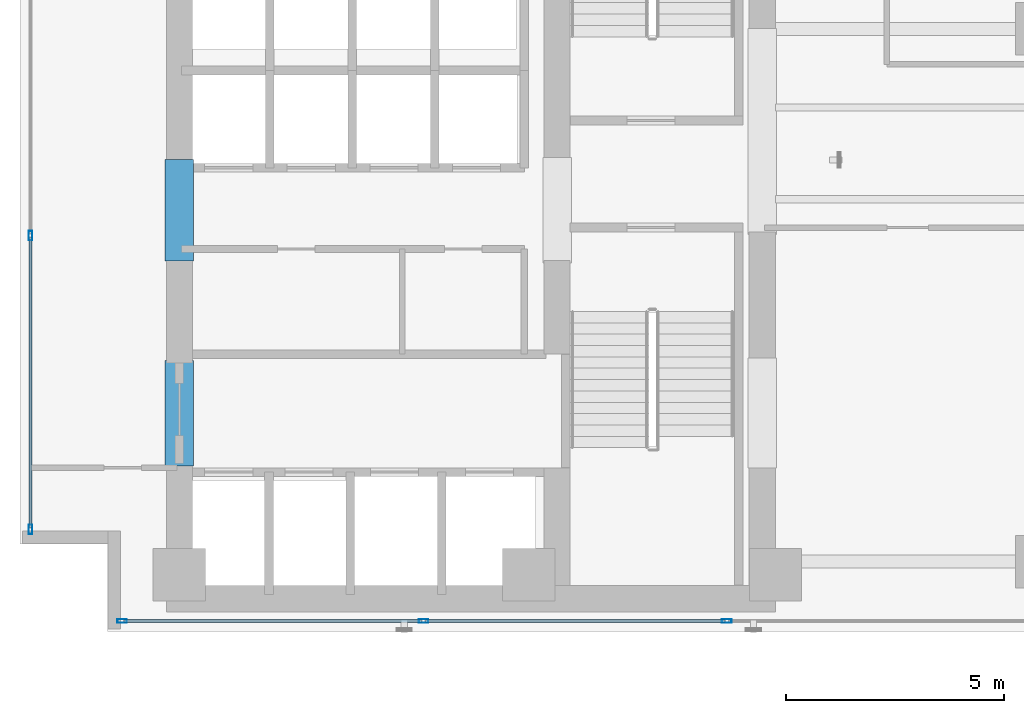
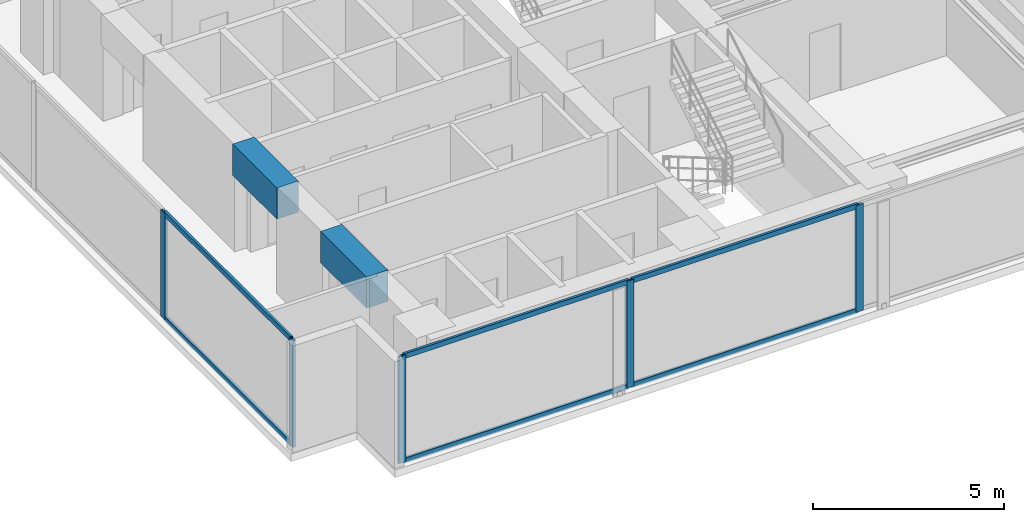
# One storey, part 2 of 26: 11 members, 2 beams, 2 elements without a shape of their own.
"""IFC4 building model written with IfcOpenShell, lengths in metres."""

from ifc_helpers import new_model, si_unit, direction, frame, origin, origin_with_axes, origin_2d, place, context, subcontext, project, spatial, rectangle, hollow_rectangle, extrude, source, transform, mapped, material, layer, layer_set, material_profile, profile_set, type_object, element, aggregate, save


model = new_model("IFC4")

# Units and contexts
model_context = context("Model", 3, precision=1e-05, world=origin(), true_north=direction((0.0, 1.0)))
body_context = subcontext(model_context, "Body", "Model", "MODEL_VIEW")
ifc_project = project(units=[si_unit("LENGTHUNIT", "METRE"), si_unit("AREAUNIT", "SQUARE_METRE"), si_unit("VOLUMEUNIT", "CUBIC_METRE"), si_unit("PLANEANGLEUNIT", "RADIAN"), si_unit("MASSUNIT", "GRAM", prefix="KILO")], contexts=[model_context])

# Site, building, storey
site_placement = place(None, origin())
site = spatial("IfcSite", under=ifc_project, at=site_placement, CompositionType="ELEMENT")
building_placement = place(site_placement, origin())
building = spatial("IfcBuilding", under=site, at=building_placement, Name="Kolvaren Waterfront Exchange", CompositionType="ELEMENT")
storey_placement = place(building_placement, frame((0.0, 0.0, 195.60009765625)))
storey = spatial("IfcBuildingStorey", under=building, at=storey_placement, Name="L50", CompositionType="ELEMENT", Elevation=195.60009765625)

# Beams
ifc_material_1 = material(Name="Concrete C60/75", Category="concrete")
ifc_material_profile_1 = material_profile(ifc_material_1, rectangle(XDim=0.64990234375, YDim=1.0, at=origin_2d()), Name="RC-CB-1000x650")
ifc_profile_set_1 = profile_set([ifc_material_profile_1], Name="Concrete C60/75")
beam_type = type_object("IfcBeamType", Name="STR-CB-1000", PredefinedType="SPANDREL", material=ifc_profile_set_1)
beam_1_placement = place(storey_placement, frame((7.449951171875, 7.389892578125, 2.919921875), z_axis=(0.0, 1.0, 0.0), x_axis=(-1.0, 0.0, 0.0)))
element("IfcBeam", 1, at=beam_1_placement, inside=storey, type_object=beam_type, Name="L50 core coupling beam 3", PredefinedType="SPANDREL", context=body_context, shape_type="SweptSolid", body=[
    extrude(rectangle(XDim=0.64990234375, YDim=1.0, at=origin_2d()), origin(), (0.0, 0.0, 1.0), 2.420166015625),
])
beam_2_placement = place(storey_placement, frame((7.449951171875, 12.090087890625, 2.919921875), z_axis=(0.0, 1.0, 0.0), x_axis=(-1.0, 0.0, 0.0)))
element("IfcBeam", 2, at=beam_2_placement, inside=storey, type_object=beam_type, Name="L50 core coupling beam 4", PredefinedType="SPANDREL", context=body_context, shape_type="SweptSolid", body=[
    extrude(rectangle(XDim=0.64990234375, YDim=1.0, at=origin_2d()), origin(), (0.0, 0.0, 1.0), 2.31982421875),
])

# Curtain wall, members
ifc_material_2 = material(Name="Anodised bronze aluminium 6063-T6", Category="aluminium")
ifc_layer_1 = layer(ifc_material_2, 0.219970703125, Name="Anodised bronze aluminium 6063-T6")
ifc_layer_set_1 = layer_set([ifc_layer_1], Name="Anodised bronze aluminium 6063-T6")
curtain_wall_type_1 = type_object("IfcCurtainWallType", Name="ARC-CW-SYS1", PredefinedType="USERDEFINED", material=ifc_layer_set_1)
curtain_wall_1_placement = place(storey_placement, origin())
curtain_wall_1 = element("IfcCurtainWall", 3, at=curtain_wall_1_placement, inside=storey, type_object=curtain_wall_type_1, Name="L50 stick curtain wall CW1 (CW-L50-S)", ObjectType="STICK CURTAIN WALL", PredefinedType="USERDEFINED")
ifc_material_3 = material(Name="Anodised aluminium 6063-T6", Category="aluminium")
ifc_material_profile_2 = material_profile(ifc_material_3, hollow_rectangle(XDim=0.080078125, YDim=0.219970703125, WallThickness=0.0048828125, at=origin_2d()), Name="ALU-MUL-220x80x5")
ifc_profile_set_2 = profile_set([ifc_material_profile_2], Name="Anodised aluminium 6063-T6")
member_type_1 = type_object("IfcMemberType", Name="ARC-CWM-220", PredefinedType="MULLION", material=ifc_profile_set_2)
shared_shape_1 = source(origin_with_axes(), body_context, "Body", "SweptSolid", [
    extrude(hollow_rectangle(XDim=0.080078125, YDim=0.219970703125, WallThickness=0.0048828125, at=origin_2d()), origin(), (0.0, 0.0, 1.0), 3.419921875),
])
member_1_placement = place(storey_placement, frame((6.139892578125, 3.840087890625, 0.0), z_axis=(0.0, 0.0, 1.0), x_axis=(0.0, 1.0, 0.0)))
member_1 = element("IfcMember", 4, at=member_1_placement, type_object=member_type_1, Name="CW1 mullion 1", PredefinedType="MULLION", context=body_context, shape_type="MappedRepresentation", body=[
    mapped(shared_shape_1, transform((0.0, 0.0, 0.0), x_axis=(1.0, 0.0, 0.0), y_axis=(0.0, 1.0, 0.0), z_axis=(0.0, 0.0, 1.0), scale=1.0)),
])
member_2_placement = place(storey_placement, frame((13.04296875, 3.840087890625, 0.0), z_axis=(0.0, 0.0, 1.0), x_axis=(0.0, 1.0, 0.0)))
member_2 = element("IfcMember", 5, at=member_2_placement, type_object=member_type_1, Name="CW1 mullion 2", PredefinedType="MULLION", context=body_context, shape_type="MappedRepresentation", body=[
    mapped(shared_shape_1, transform((0.0, 0.0, 0.0), x_axis=(1.0, 0.0, 0.0), y_axis=(0.0, 1.0, 0.0), z_axis=(0.0, 0.0, 1.0), scale=1.0)),
])
member_3_placement = place(storey_placement, frame((19.985595703125, 3.840087890625, 0.0), z_axis=(0.0, 0.0, 1.0), x_axis=(0.0, 1.0, 0.0)))
member_3 = element("IfcMember", 6, at=member_3_placement, type_object=member_type_1, Name="CW1 mullion 3", PredefinedType="MULLION", context=body_context, shape_type="MappedRepresentation", body=[
    mapped(shared_shape_1, transform((0.0, 0.0, 0.0), x_axis=(1.0, 0.0, 0.0), y_axis=(0.0, 1.0, 0.0), z_axis=(0.0, 0.0, 1.0), scale=1.0)),
])

ifc_layer_2 = layer(ifc_material_3, 0.219970703125, Name="Anodised aluminium 6063-T6")
ifc_layer_set_2 = layer_set([ifc_layer_2], Name="Anodised aluminium 6063-T6")
curtain_wall_type_2 = type_object("IfcCurtainWallType", Name="ARC-CW-SYS2", PredefinedType="USERDEFINED", material=ifc_layer_set_2)
curtain_wall_2_placement = place(storey_placement, origin())
curtain_wall_2 = element("IfcCurtainWall", 7, at=curtain_wall_2_placement, inside=storey, type_object=curtain_wall_type_2, Name="L50 stick curtain wall CW2 (CW-L50-W)", ObjectType="STICK CURTAIN WALL", PredefinedType="USERDEFINED")
member_4_placement = place(storey_placement, frame((4.0400390625, 5.93994140625, 0.0), z_axis=(0.0, 0.0, 1.0), x_axis=(-1.0, 0.0, 0.0)))
member_4 = element("IfcMember", 8, at=member_4_placement, type_object=member_type_1, Name="CW2 mullion 1", PredefinedType="MULLION", context=body_context, shape_type="MappedRepresentation", body=[
    mapped(shared_shape_1, transform((0.0, 0.0, 0.0), x_axis=(1.0, 0.0, 0.0), y_axis=(0.0, 1.0, 0.0), z_axis=(0.0, 0.0, 1.0), scale=1.0)),
])
member_5_placement = place(storey_placement, frame((4.0400390625, 12.666748046875, 0.0), z_axis=(0.0, 0.0, 1.0), x_axis=(-1.0, 0.0, 0.0)))
member_5 = element("IfcMember", 9, at=member_5_placement, type_object=member_type_1, Name="CW2 mullion 2", PredefinedType="MULLION", context=body_context, shape_type="MappedRepresentation", body=[
    mapped(shared_shape_1, transform((0.0, 0.0, 0.0), x_axis=(1.0, 0.0, 0.0), y_axis=(0.0, 1.0, 0.0), z_axis=(0.0, 0.0, 1.0), scale=1.0)),
])

# Member
ifc_material_profile_3 = material_profile(ifc_material_3, hollow_rectangle(XDim=0.074951171875, YDim=0.159912109375, WallThickness=0.00439453125, at=origin_2d()), Name="ALU-TRN-160x75x4.5")
ifc_profile_set_3 = profile_set([ifc_material_profile_3], Name="Anodised aluminium 6063-T6")
member_type_2 = type_object("IfcMemberType", Name="ARC-CWT-160", PredefinedType="USERDEFINED", material=ifc_profile_set_3)
shared_shape_2 = source(origin_with_axes(), body_context, "Body", "SweptSolid", [
    extrude(hollow_rectangle(XDim=0.074951171875, YDim=0.159912109375, WallThickness=0.00439453125, at=origin_2d()), origin(), (0.0, 0.0, 1.0), 6.822998046875),
])
member_6_placement = place(storey_placement, frame((6.179931640625, 3.840087890625, 0.037353515625), z_axis=(1.0, 0.0, 0.0), x_axis=(0.0, 1.0, 0.0)))
member_6 = element("IfcMember", 10, at=member_6_placement, type_object=member_type_2, Name="CW1 transom 1.1", ObjectType="TRANSOM", PredefinedType="USERDEFINED", context=body_context, shape_type="MappedRepresentation", body=[
    mapped(shared_shape_2, transform((0.0, 0.0, 0.0), x_axis=(1.0, 0.0, 0.0), y_axis=(0.0, 1.0, 0.0), z_axis=(0.0, 0.0, 1.0), scale=1.0)),
])

member_7_placement = place(storey_placement, frame((6.179931640625, 3.840087890625, 3.38232421875), z_axis=(1.0, 0.0, 0.0), x_axis=(0.0, 1.0, 0.0)))
member_7 = element("IfcMember", 11, at=member_7_placement, type_object=member_type_2, Name="CW1 transom 1.2", ObjectType="TRANSOM", PredefinedType="USERDEFINED", context=body_context, shape_type="MappedRepresentation", body=[
    mapped(shared_shape_2, transform((0.0, 0.0, 0.0), x_axis=(1.0, 0.0, 0.0), y_axis=(0.0, 1.0, 0.0), z_axis=(0.0, 0.0, 1.0), scale=1.0)),
])

shared_shape_3 = source(origin_with_axes(), body_context, "Body", "SweptSolid", [
    extrude(hollow_rectangle(XDim=0.074951171875, YDim=0.159912109375, WallThickness=0.00439453125, at=origin_2d()), origin(), (0.0, 0.0, 1.0), 6.863037109375),
])
member_8_placement = place(storey_placement, frame((13.082763671875, 3.840087890625, 0.037353515625), z_axis=(1.0, 0.0, 0.0), x_axis=(0.0, 1.0, 0.0)))
member_8 = element("IfcMember", 12, at=member_8_placement, type_object=member_type_2, Name="CW1 transom 2.1", ObjectType="TRANSOM", PredefinedType="USERDEFINED", context=body_context, shape_type="MappedRepresentation", body=[
    mapped(shared_shape_3, transform((0.0, 0.0, 0.0), x_axis=(1.0, 0.0, 0.0), y_axis=(0.0, 1.0, 0.0), z_axis=(0.0, 0.0, 1.0), scale=1.0)),
])

member_9_placement = place(storey_placement, frame((13.082763671875, 3.840087890625, 3.38232421875), z_axis=(1.0, 0.0, 0.0), x_axis=(0.0, 1.0, 0.0)))
member_9 = element("IfcMember", 13, at=member_9_placement, type_object=member_type_2, Name="CW1 transom 2.2", ObjectType="TRANSOM", PredefinedType="USERDEFINED", context=body_context, shape_type="MappedRepresentation", body=[
    mapped(shared_shape_3, transform((0.0, 0.0, 0.0), x_axis=(1.0, 0.0, 0.0), y_axis=(0.0, 1.0, 0.0), z_axis=(0.0, 0.0, 1.0), scale=1.0)),
])

aggregate(curtain_wall_1, [member_1, member_2, member_3, member_6, member_7, member_8, member_9])

shared_shape_4 = source(origin_with_axes(), body_context, "Body", "SweptSolid", [
    extrude(hollow_rectangle(XDim=0.074951171875, YDim=0.159912109375, WallThickness=0.00439453125, at=origin_2d()), origin(), (0.0, 0.0, 1.0), 6.646728515625),
])
member_10_placement = place(storey_placement, frame((4.0400390625, 5.97998046875, 0.037353515625), z_axis=(0.0, 1.0, 0.0), x_axis=(-1.0, 0.0, 0.0)))
member_10 = element("IfcMember", 14, at=member_10_placement, type_object=member_type_2, Name="CW2 transom 1.1", ObjectType="TRANSOM", PredefinedType="USERDEFINED", context=body_context, shape_type="MappedRepresentation", body=[
    mapped(shared_shape_4, transform((0.0, 0.0, 0.0), x_axis=(1.0, 0.0, 0.0), y_axis=(0.0, 1.0, 0.0), z_axis=(0.0, 0.0, 1.0), scale=1.0)),
])

member_11_placement = place(storey_placement, frame((4.0400390625, 5.97998046875, 3.38232421875), z_axis=(0.0, 1.0, 0.0), x_axis=(-1.0, 0.0, 0.0)))
member_11 = element("IfcMember", 15, at=member_11_placement, type_object=member_type_2, Name="CW2 transom 1.2", ObjectType="TRANSOM", PredefinedType="USERDEFINED", context=body_context, shape_type="MappedRepresentation", body=[
    mapped(shared_shape_4, transform((0.0, 0.0, 0.0), x_axis=(1.0, 0.0, 0.0), y_axis=(0.0, 1.0, 0.0), z_axis=(0.0, 0.0, 1.0), scale=1.0)),
])

aggregate(curtain_wall_2, [member_4, member_5, member_10, member_11])

save(model, "model.ifc")
